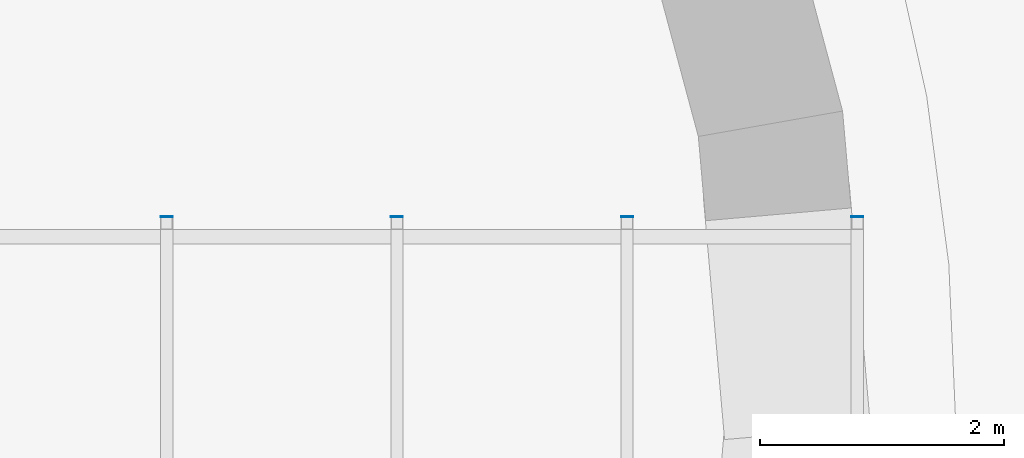
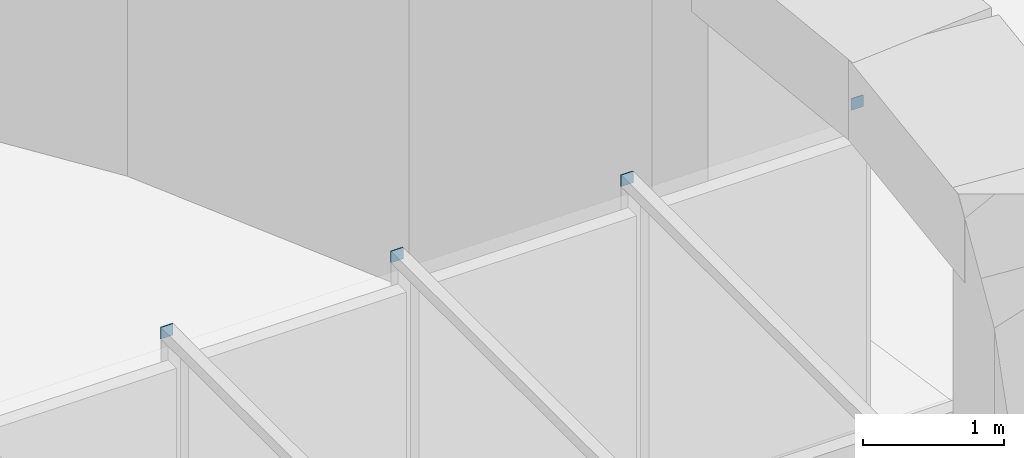
# One storey, part 44 of 85: 4 plates, 1 element without a shape of its own.
"""IFC4 building model written with IfcOpenShell, lengths in metres."""

from ifc_helpers import new_model, si_unit, direction, frame, origin, origin_2d, place, context, subcontext, project, spatial, rectangle, extrude, material, layer, layer_set, type_object, element, aggregate, save


model = new_model("IFC4")

# Units and contexts
model_context = context("Model", 3, precision=1e-05, world=origin(), true_north=direction((0.0, 1.0)))
body_context = subcontext(model_context, "Body", "Model", "MODEL_VIEW")
ifc_project = project(units=[si_unit("LENGTHUNIT", "METRE"), si_unit("AREAUNIT", "SQUARE_METRE"), si_unit("VOLUMEUNIT", "CUBIC_METRE"), si_unit("PLANEANGLEUNIT", "RADIAN"), si_unit("MASSUNIT", "GRAM", prefix="KILO")], contexts=[model_context])

# Site, building, storey
site_placement = place(None, origin())
site = spatial("IfcSite", under=ifc_project, at=site_placement, CompositionType="ELEMENT")
building_placement = place(site_placement, origin())
building = spatial("IfcBuilding", under=site, at=building_placement, Name="Volute Hill Aquarium", CompositionType="ELEMENT")
storey_placement = place(building_placement, origin())
storey = spatial("IfcBuildingStorey", under=building, at=storey_placement, Name="L01", CompositionType="ELEMENT", Elevation=0.0)

# Curtain wall, plates
ifc_material_1 = material(Name="Acrylic PMMA")
curtain_wall_type = type_object("IfcCurtainWallType", Name="Viewing tunnel acrylic assembly", PredefinedType="NOTDEFINED", material=ifc_material_1)
curtain_wall_placement = place(storey_placement, origin())
curtain_wall = element("IfcCurtainWall", 1, at=curtain_wall_placement, inside=storey, type_object=curtain_wall_type, Name="Viewing tunnel acrylic assembly", PredefinedType="NOTDEFINED")
ifc_material_2 = material(Name="Steel S355", Category="steel")
ifc_layer = layer(ifc_material_2, 0.006103515625)
ifc_layer_set = layer_set([ifc_layer], Name="Tunnel frame end plate 6 S355")
plate_type = type_object("IfcPlateType", Name="Tunnel frame end plate 6 S355", PredefinedType="SHEET", material=ifc_layer_set)
plate_1_placement = place(storey_placement, frame((9.43115234375, 1.77294921875, 2.719970703125), z_axis=(0.0, 0.0, 1.0), x_axis=(1.0, 0.0, 0.0)))
plate_1 = element("IfcPlate", 2, at=plate_1_placement, type_object=plate_type, Name="Tunnel frame end plate 14B", PredefinedType="SHEET", context=body_context, shape_type="SweptSolid", body=[
    extrude(rectangle(XDim=0.10009765625, YDim=0.006103515625, at=origin_2d()), origin(), (0.0, 0.0, 1.0), 0.10009765625),
])
plate_2_placement = place(storey_placement, frame((11.3173828125, 1.77294921875, 2.719970703125), z_axis=(0.0, 0.0, 1.0), x_axis=(1.0, 0.0, 0.0)))
plate_2 = element("IfcPlate", 3, at=plate_2_placement, type_object=plate_type, Name="Tunnel frame end plate 15B", PredefinedType="SHEET", context=body_context, shape_type="SweptSolid", body=[
    extrude(rectangle(XDim=0.10009765625, YDim=0.006103515625, at=origin_2d()), origin(), (0.0, 0.0, 1.0), 0.10009765625),
])
plate_3_placement = place(storey_placement, frame((13.203857421875, 1.77294921875, 2.719970703125), z_axis=(0.0, 0.0, 1.0), x_axis=(1.0, 0.0, 0.0)))
plate_3 = element("IfcPlate", 4, at=plate_3_placement, type_object=plate_type, Name="Tunnel frame end plate 16B", PredefinedType="SHEET", context=body_context, shape_type="SweptSolid", body=[
    extrude(rectangle(XDim=0.10009765625, YDim=0.006103515625, at=origin_2d()), origin(), (0.0, 0.0, 1.0), 0.10009765625),
])
plate_4_placement = place(storey_placement, frame((15.090087890625, 1.77294921875, 2.719970703125), z_axis=(0.0, 0.0, 1.0), x_axis=(1.0, 0.0, 0.0)))
plate_4 = element("IfcPlate", 5, at=plate_4_placement, type_object=plate_type, Name="Tunnel frame end plate 17B", PredefinedType="SHEET", context=body_context, shape_type="SweptSolid", body=[
    extrude(rectangle(XDim=0.10009765625, YDim=0.006103515625, at=origin_2d()), origin(), (0.0, 0.0, 1.0), 0.10009765625),
])
aggregate(curtain_wall, [plate_1, plate_2, plate_3, plate_4])

save(model, "model.ifc")
